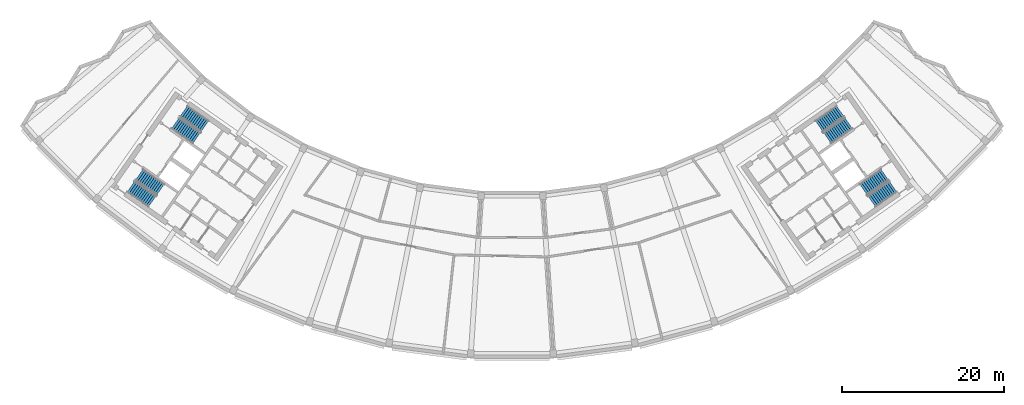
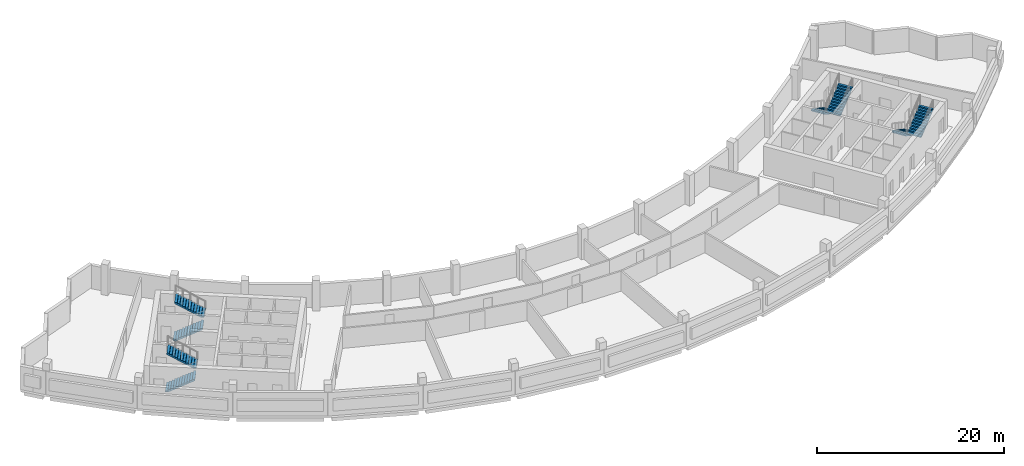
# One storey, part 7 of 11: 8 stair flights, 4 elements without a shape of their own.
"""IFC4 building model written with IfcOpenShell, lengths in metres."""

from ifc_helpers import new_model, si_unit, direction, frame, origin, place, context, subcontext, project, spatial, polyline, outline, extrude, material, type_object, element, aggregate, save


model = new_model("IFC4")

# Units and contexts
model_context = context("Model", 3, precision=1e-05, world=origin(), true_north=direction((0.0, 1.0)))
body_context = subcontext(model_context, "Body", "Model", "MODEL_VIEW")
ifc_project = project(units=[si_unit("LENGTHUNIT", "METRE"), si_unit("AREAUNIT", "SQUARE_METRE"), si_unit("VOLUMEUNIT", "CUBIC_METRE"), si_unit("PLANEANGLEUNIT", "RADIAN"), si_unit("MASSUNIT", "GRAM", prefix="KILO")], contexts=[model_context])

# Site, building, storey
site_placement = place(None, origin())
site = spatial("IfcSite", under=ifc_project, at=site_placement, CompositionType="ELEMENT")
building_placement = place(site_placement, origin())
building = spatial("IfcBuilding", under=site, at=building_placement, Name="Qamariyya Broadcast Tower", CompositionType="ELEMENT")
storey_placement = place(building_placement, frame((0.0, 0.0, 310.699951171875)))
storey = spatial("IfcBuildingStorey", under=building, at=storey_placement, Name="L75", CompositionType="ELEMENT", Elevation=310.699951171875)

# Stair, stair flights
ifc_material = material(Name="Concrete C50/60", Category="concrete")
stair_type = type_object("IfcStairType", Name="Exit stair 24 risers of 167 mm", PredefinedType="HALF_TURN_STAIR", material=ifc_material)
stair_1_placement = place(storey_placement, origin())
stair_1 = element("IfcStair", 1, at=stair_1_placement, inside=storey, type_object=stair_type, Name="L75 Stair W2", PredefinedType="HALF_TURN_STAIR")
stair_flight_type = type_object("IfcStairFlightType", Name="Exit stair flight 12 risers of 167 mm", PredefinedType="STRAIGHT", material=ifc_material)
stair_flight_1_placement = place(storey_placement, frame((-41.59130859375, -49.15966796875, 0.0), z_axis=(0.0, 0.0, 1.0), x_axis=(0.819152044289, -0.573576436351, 0.0)))
stair_flight_1 = element("IfcStairFlight", 2, at=stair_flight_1_placement, type_object=stair_flight_type, Name="ST-W2 flight 1", NumberOfRisers=12, NumberOfTreads=11, PredefinedType="STRAIGHT", RiserHeight=0.166666667, TreadLength=0.29, context=body_context, shape_type="SweptSolid", body=[
    extrude(outline(polyline([(0.0, 0.0), (0.0, 0.166748046875), (0.2900390625, 0.166748046875), (0.2900390625, 0.333251953125), (0.580078125, 0.333251953125), (0.580078125, 0.5), (0.8701171875, 0.5), (0.8701171875, 0.666748046875), (1.159912109375, 0.666748046875), (1.159912109375, 0.833251953125), (1.449951171875, 0.833251953125), (1.449951171875, 1.0), (1.739990234375, 1.0), (1.739990234375, 1.166748046875), (2.030029296875, 1.166748046875), (2.030029296875, 1.333251953125), (2.320068359375, 1.333251953125), (2.320068359375, 1.5), (2.610107421875, 1.5), (2.610107421875, 1.666748046875), (2.89990234375, 1.666748046875), (2.89990234375, 1.833251953125), (3.18994140625, 1.833251953125), (3.18994140625, 2.0), (3.18994140625, 1.660400390625), (0.30078125, 0.0), (0.0, 0.0)])), frame((0.0, 0.824951171875, 0.0), z_axis=(0.0, -1.0, 0.0), x_axis=(1.0, 0.0, 0.0)), (0.0, 0.0, 1.0), 1.64990234375),
])
stair_flight_2_placement = place(storey_placement, frame((-37.945556640625, -49.514892578125, 2.0), z_axis=(0.0, 0.0, 1.0), x_axis=(-0.819152044289, 0.573576436351, 0.0)))
stair_flight_2 = element("IfcStairFlight", 3, at=stair_flight_2_placement, type_object=stair_flight_type, Name="ST-W2 flight 2", NumberOfRisers=12, NumberOfTreads=11, PredefinedType="STRAIGHT", RiserHeight=0.166666667, TreadLength=0.29, context=body_context, shape_type="SweptSolid", body=[
    extrude(outline(polyline([(0.0, 0.0), (0.0, 0.166748046875), (0.2900390625, 0.166748046875), (0.2900390625, 0.333251953125), (0.580078125, 0.333251953125), (0.580078125, 0.5), (0.8701171875, 0.5), (0.8701171875, 0.666748046875), (1.159912109375, 0.666748046875), (1.159912109375, 0.833251953125), (1.449951171875, 0.833251953125), (1.449951171875, 1.0), (1.739990234375, 1.0), (1.739990234375, 1.166748046875), (2.030029296875, 1.166748046875), (2.030029296875, 1.333251953125), (2.320068359375, 1.333251953125), (2.320068359375, 1.5), (2.610107421875, 1.5), (2.610107421875, 1.666748046875), (2.89990234375, 1.666748046875), (2.89990234375, 1.833251953125), (3.18994140625, 1.833251953125), (3.18994140625, 2.0), (3.18994140625, 1.660400390625), (0.30078125, 0.0), (0.0, 0.0)])), frame((0.0, 0.824951171875, 0.0), z_axis=(0.0, -1.0, 0.0), x_axis=(1.0, 0.0, 0.0)), (0.0, 0.0, 1.0), 1.64990234375),
])
aggregate(stair_1, [stair_flight_1, stair_flight_2])

stair_2_placement = place(storey_placement, origin())
stair_2 = element("IfcStair", 4, at=stair_2_placement, inside=storey, type_object=stair_type, Name="L75 Stair W1", PredefinedType="HALF_TURN_STAIR")
stair_flight_3_placement = place(storey_placement, frame((-47.06884765625, -56.982666015625, 0.0), z_axis=(0.0, 0.0, 1.0), x_axis=(0.819152044289, -0.573576436351, 0.0)))
stair_flight_3 = element("IfcStairFlight", 5, at=stair_flight_3_placement, type_object=stair_flight_type, Name="ST-W1 flight 1", NumberOfRisers=12, NumberOfTreads=11, PredefinedType="STRAIGHT", RiserHeight=0.166666667, TreadLength=0.29, context=body_context, shape_type="SweptSolid", body=[
    extrude(outline(polyline([(0.0, 0.0), (0.0, 0.166748046875), (0.2900390625, 0.166748046875), (0.2900390625, 0.333251953125), (0.580078125, 0.333251953125), (0.580078125, 0.5), (0.8701171875, 0.5), (0.8701171875, 0.666748046875), (1.159912109375, 0.666748046875), (1.159912109375, 0.833251953125), (1.449951171875, 0.833251953125), (1.449951171875, 1.0), (1.739990234375, 1.0), (1.739990234375, 1.166748046875), (2.030029296875, 1.166748046875), (2.030029296875, 1.333251953125), (2.320068359375, 1.333251953125), (2.320068359375, 1.5), (2.610107421875, 1.5), (2.610107421875, 1.666748046875), (2.89990234375, 1.666748046875), (2.89990234375, 1.833251953125), (3.18994140625, 1.833251953125), (3.18994140625, 2.0), (3.18994140625, 1.660400390625), (0.30078125, 0.0), (0.0, 0.0)])), frame((0.0, 0.824951171875, 0.0), z_axis=(0.0, -1.0, 0.0), x_axis=(1.0, 0.0, 0.0)), (0.0, 0.0, 1.0), 1.64990234375),
])
stair_flight_4_placement = place(storey_placement, frame((-43.42333984375, -57.337890625, 2.0), z_axis=(0.0, 0.0, 1.0), x_axis=(-0.819152044289, 0.573576436351, 0.0)))
stair_flight_4 = element("IfcStairFlight", 6, at=stair_flight_4_placement, type_object=stair_flight_type, Name="ST-W1 flight 2", NumberOfRisers=12, NumberOfTreads=11, PredefinedType="STRAIGHT", RiserHeight=0.166666667, TreadLength=0.29, context=body_context, shape_type="SweptSolid", body=[
    extrude(outline(polyline([(0.0, 0.0), (0.0, 0.166748046875), (0.2900390625, 0.166748046875), (0.2900390625, 0.333251953125), (0.580078125, 0.333251953125), (0.580078125, 0.5), (0.8701171875, 0.5), (0.8701171875, 0.666748046875), (1.159912109375, 0.666748046875), (1.159912109375, 0.833251953125), (1.449951171875, 0.833251953125), (1.449951171875, 1.0), (1.739990234375, 1.0), (1.739990234375, 1.166748046875), (2.030029296875, 1.166748046875), (2.030029296875, 1.333251953125), (2.320068359375, 1.333251953125), (2.320068359375, 1.5), (2.610107421875, 1.5), (2.610107421875, 1.666748046875), (2.89990234375, 1.666748046875), (2.89990234375, 1.833251953125), (3.18994140625, 1.833251953125), (3.18994140625, 2.0), (3.18994140625, 1.660400390625), (0.30078125, 0.0), (0.0, 0.0)])), frame((0.0, 0.824951171875, 0.0), z_axis=(0.0, -1.0, 0.0), x_axis=(1.0, 0.0, 0.0)), (0.0, 0.0, 1.0), 1.64990234375),
])
aggregate(stair_2, [stair_flight_3, stair_flight_4])

stair_3_placement = place(storey_placement, origin())
stair_3 = element("IfcStair", 7, at=stair_3_placement, inside=storey, type_object=stair_type, Name="L75 Stair E2", PredefinedType="HALF_TURN_STAIR")
stair_flight_5_placement = place(storey_placement, frame((40.558837890625, -47.685302734375, 0.0), z_axis=(0.0, 0.0, 1.0), x_axis=(-0.819152044289, -0.573576436351, 0.0)))
stair_flight_5 = element("IfcStairFlight", 8, at=stair_flight_5_placement, type_object=stair_flight_type, Name="ST-E2 flight 1", NumberOfRisers=12, NumberOfTreads=11, PredefinedType="STRAIGHT", RiserHeight=0.166666667, TreadLength=0.29, context=body_context, shape_type="SweptSolid", body=[
    extrude(outline(polyline([(0.0, 0.0), (0.0, 0.166748046875), (0.2900390625, 0.166748046875), (0.2900390625, 0.333251953125), (0.580078125, 0.333251953125), (0.580078125, 0.5), (0.8701171875, 0.5), (0.8701171875, 0.666748046875), (1.159912109375, 0.666748046875), (1.159912109375, 0.833251953125), (1.449951171875, 0.833251953125), (1.449951171875, 1.0), (1.739990234375, 1.0), (1.739990234375, 1.166748046875), (2.030029296875, 1.166748046875), (2.030029296875, 1.333251953125), (2.320068359375, 1.333251953125), (2.320068359375, 1.5), (2.610107421875, 1.5), (2.610107421875, 1.666748046875), (2.89990234375, 1.666748046875), (2.89990234375, 1.833251953125), (3.18994140625, 1.833251953125), (3.18994140625, 2.0), (3.18994140625, 1.660400390625), (0.30078125, 0.0), (0.0, 0.0)])), frame((0.0, 0.824951171875, 0.0), z_axis=(0.0, -1.0, 0.0), x_axis=(1.0, 0.0, 0.0)), (0.0, 0.0, 1.0), 1.64990234375),
])
stair_flight_6_placement = place(storey_placement, frame((38.97802734375, -50.989501953125, 2.0), z_axis=(0.0, 0.0, 1.0), x_axis=(0.819152044289, 0.573576436351, 0.0)))
stair_flight_6 = element("IfcStairFlight", 9, at=stair_flight_6_placement, type_object=stair_flight_type, Name="ST-E2 flight 2", NumberOfRisers=12, NumberOfTreads=11, PredefinedType="STRAIGHT", RiserHeight=0.166666667, TreadLength=0.29, context=body_context, shape_type="SweptSolid", body=[
    extrude(outline(polyline([(0.0, 0.0), (0.0, 0.166748046875), (0.2900390625, 0.166748046875), (0.2900390625, 0.333251953125), (0.580078125, 0.333251953125), (0.580078125, 0.5), (0.8701171875, 0.5), (0.8701171875, 0.666748046875), (1.159912109375, 0.666748046875), (1.159912109375, 0.833251953125), (1.449951171875, 0.833251953125), (1.449951171875, 1.0), (1.739990234375, 1.0), (1.739990234375, 1.166748046875), (2.030029296875, 1.166748046875), (2.030029296875, 1.333251953125), (2.320068359375, 1.333251953125), (2.320068359375, 1.5), (2.610107421875, 1.5), (2.610107421875, 1.666748046875), (2.89990234375, 1.666748046875), (2.89990234375, 1.833251953125), (3.18994140625, 1.833251953125), (3.18994140625, 2.0), (3.18994140625, 1.660400390625), (0.30078125, 0.0), (0.0, 0.0)])), frame((0.0, 0.824951171875, 0.0), z_axis=(0.0, -1.0, 0.0), x_axis=(1.0, 0.0, 0.0)), (0.0, 0.0, 1.0), 1.64990234375),
])
aggregate(stair_3, [stair_flight_5, stair_flight_6])

stair_4_placement = place(storey_placement, origin())
stair_4 = element("IfcStair", 10, at=stair_4_placement, inside=storey, type_object=stair_type, Name="L75 Stair E1", PredefinedType="HALF_TURN_STAIR")
stair_flight_7_placement = place(storey_placement, frame((46.036376953125, -55.508056640625, 0.0), z_axis=(0.0, 0.0, 1.0), x_axis=(-0.819152044289, -0.573576436351, 0.0)))
stair_flight_7 = element("IfcStairFlight", 11, at=stair_flight_7_placement, type_object=stair_flight_type, Name="ST-E1 flight 1", NumberOfRisers=12, NumberOfTreads=11, PredefinedType="STRAIGHT", RiserHeight=0.166666667, TreadLength=0.29, context=body_context, shape_type="SweptSolid", body=[
    extrude(outline(polyline([(0.0, 0.0), (0.0, 0.166748046875), (0.2900390625, 0.166748046875), (0.2900390625, 0.333251953125), (0.580078125, 0.333251953125), (0.580078125, 0.5), (0.8701171875, 0.5), (0.8701171875, 0.666748046875), (1.159912109375, 0.666748046875), (1.159912109375, 0.833251953125), (1.449951171875, 0.833251953125), (1.449951171875, 1.0), (1.739990234375, 1.0), (1.739990234375, 1.166748046875), (2.030029296875, 1.166748046875), (2.030029296875, 1.333251953125), (2.320068359375, 1.333251953125), (2.320068359375, 1.5), (2.610107421875, 1.5), (2.610107421875, 1.666748046875), (2.89990234375, 1.666748046875), (2.89990234375, 1.833251953125), (3.18994140625, 1.833251953125), (3.18994140625, 2.0), (3.18994140625, 1.660400390625), (0.30078125, 0.0), (0.0, 0.0)])), frame((0.0, 0.824951171875, 0.0), z_axis=(0.0, -1.0, 0.0), x_axis=(1.0, 0.0, 0.0)), (0.0, 0.0, 1.0), 1.64990234375),
])
stair_flight_8_placement = place(storey_placement, frame((44.455810546875, -58.812255859375, 2.0), z_axis=(0.0, 0.0, 1.0), x_axis=(0.819152044289, 0.573576436351, 0.0)))
stair_flight_8 = element("IfcStairFlight", 12, at=stair_flight_8_placement, type_object=stair_flight_type, Name="ST-E1 flight 2", NumberOfRisers=12, NumberOfTreads=11, PredefinedType="STRAIGHT", RiserHeight=0.166666667, TreadLength=0.29, context=body_context, shape_type="SweptSolid", body=[
    extrude(outline(polyline([(0.0, 0.0), (0.0, 0.166748046875), (0.2900390625, 0.166748046875), (0.2900390625, 0.333251953125), (0.580078125, 0.333251953125), (0.580078125, 0.5), (0.8701171875, 0.5), (0.8701171875, 0.666748046875), (1.159912109375, 0.666748046875), (1.159912109375, 0.833251953125), (1.449951171875, 0.833251953125), (1.449951171875, 1.0), (1.739990234375, 1.0), (1.739990234375, 1.166748046875), (2.030029296875, 1.166748046875), (2.030029296875, 1.333251953125), (2.320068359375, 1.333251953125), (2.320068359375, 1.5), (2.610107421875, 1.5), (2.610107421875, 1.666748046875), (2.89990234375, 1.666748046875), (2.89990234375, 1.833251953125), (3.18994140625, 1.833251953125), (3.18994140625, 2.0), (3.18994140625, 1.660400390625), (0.30078125, 0.0), (0.0, 0.0)])), frame((0.0, 0.824951171875, 0.0), z_axis=(0.0, -1.0, 0.0), x_axis=(1.0, 0.0, 0.0)), (0.0, 0.0, 1.0), 1.64990234375),
])
aggregate(stair_4, [stair_flight_7, stair_flight_8])

save(model, "model.ifc")
